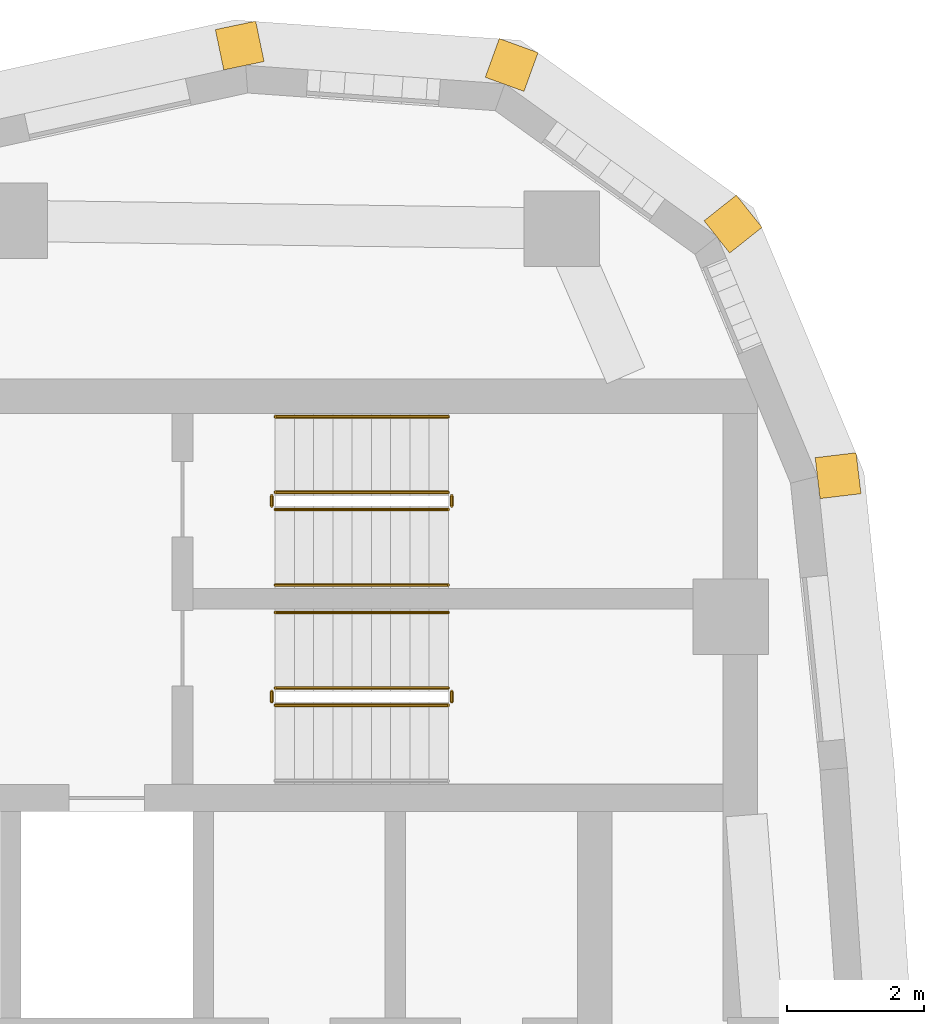
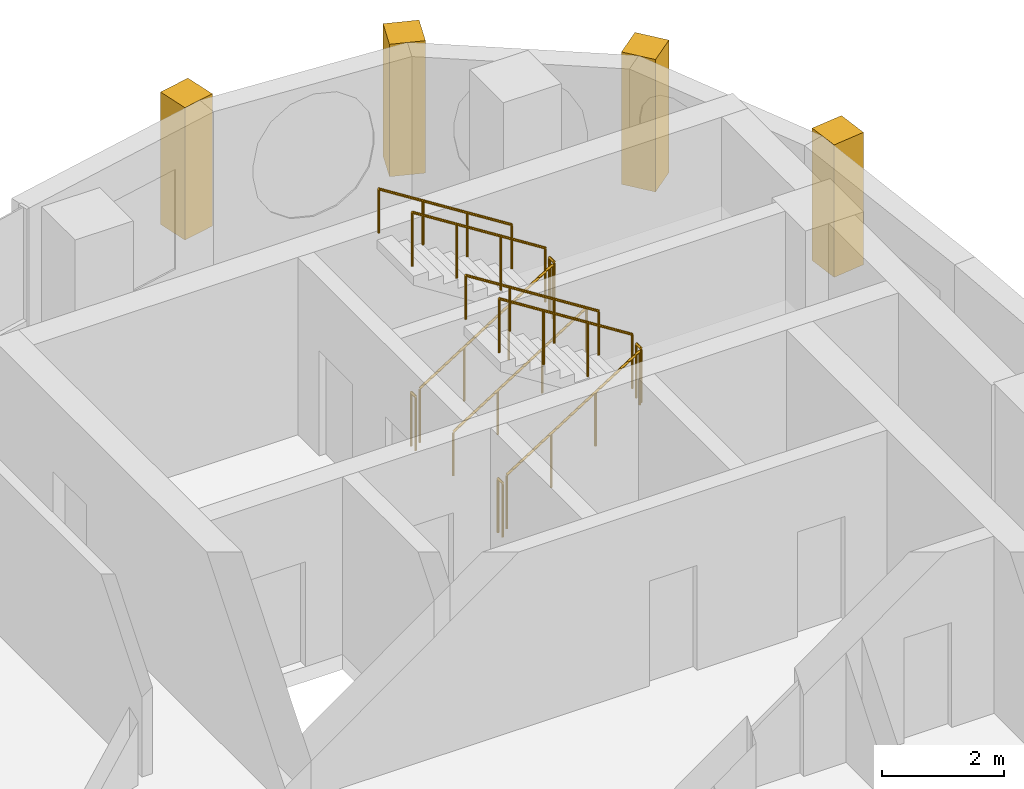
# One storey, part 14 of 14: 11 railings, 4 coverings.
"""IFC4 building model written with IfcOpenShell, lengths in metres."""

from ifc_helpers import new_model, si_unit, direction, frame, frame_2d, origin, origin_2d, place, context, subcontext, project, spatial, rectangle, circle, extrude, material, layer, layer_set, type_object, element, save


model = new_model("IFC4")

# Units and contexts
model_context = context("Model", 3, precision=1e-05, world=origin(), true_north=direction((0.0, 1.0)))
body_context = subcontext(model_context, "Body", "Model", "MODEL_VIEW")
ifc_project = project(units=[si_unit("LENGTHUNIT", "METRE"), si_unit("AREAUNIT", "SQUARE_METRE"), si_unit("VOLUMEUNIT", "CUBIC_METRE"), si_unit("PLANEANGLEUNIT", "RADIAN"), si_unit("MASSUNIT", "GRAM", prefix="KILO")], contexts=[model_context])

# Site, building, storey
site_placement = place(None, origin())
site = spatial("IfcSite", under=ifc_project, at=site_placement, CompositionType="ELEMENT")
building_placement = place(site_placement, origin())
building = spatial("IfcBuilding", under=site, at=building_placement, Name="Ostrand Prow Hotel Tower", CompositionType="ELEMENT")
storey_placement = place(building_placement, frame((0.0, 0.0, 275.0)))
storey = spatial("IfcBuildingStorey", under=building, at=storey_placement, Name="L69", CompositionType="ELEMENT", Elevation=275.0)

# Coverings
ifc_material_1 = material(Name="Limestone cladding", Category="masonry")
ifc_layer = layer(ifc_material_1, 0.60009765625)
ifc_layer_set = layer_set([ifc_layer], Name="Limestone cladding")
covering_type = type_object("IfcCoveringType", Name="Precast stone prow rib 600x600", PredefinedType="CLADDING", material=ifc_layer_set)
covering_1_placement = place(storey_placement, frame((65.0966796875, 14.806396484375, 0.60009765625), z_axis=(0.0, 0.0, 1.0), x_axis=(0.992867207971, 0.119225447515, 0.0)))
element("IfcCovering", 1, at=covering_1_placement, inside=storey, type_object=covering_type, Name="Stone corner rib 12a", PredefinedType="CLADDING", context=body_context, shape_type="SweptSolid", body=[
    extrude(rectangle(XDim=0.60009765625, YDim=0.60009765625, at=frame_2d((0.300048828125, 0.0))), origin(), (0.0, 0.0, 1.0), 2.64990234375),
])
for number, where, z_axis, x_axis, name in (
    (2, (63.630615234375, 18.318359375, 0.60009765625), (0.0, 0.0, 1.0), (0.782731736812, 0.622359243674, 0.0), "Stone corner rib 13a"),
    (3, (60.540283203125, 20.539794921875, 0.60009765625), (0.0, 0.0, 1.0), (0.340664419472, 0.940184956966, 0.0), "Stone corner rib 14a"),
):
    element("IfcCovering", number, at=place(storey_placement, frame(where, z_axis=z_axis, x_axis=x_axis)), inside=storey, type_object=covering_type, Name=name, PredefinedType="CLADDING", context=body_context, shape_type="SweptSolid", body=[
        extrude(rectangle(XDim=0.599853515625, YDim=0.60009765625, at=frame_2d((0.2998046875, 0.0))), origin(), (0.0, 0.0, 1.0), 2.64990234375),
    ])
covering_2_placement = place(storey_placement, frame((56.744384765625, 20.810546875, 0.60009765625), z_axis=(0.0, 0.0, 1.0), x_axis=(-0.203385687349, 0.979098698897, 0.0)))
element("IfcCovering", 4, at=covering_2_placement, inside=storey, type_object=covering_type, Name="Stone corner rib 14b", PredefinedType="CLADDING", context=body_context, shape_type="SweptSolid", body=[
    extrude(rectangle(XDim=0.60009765625, YDim=0.60009765625, at=frame_2d((0.300048828125, 0.0))), origin(), (0.0, 0.0, 1.0), 2.64990234375),
])

# Railings
ifc_material_2 = material(Name="Painted steel", Category="steel")
railing_type_1 = type_object("IfcRailingType", Name="Stair guard 1100", PredefinedType="GUARDRAIL", material=ifc_material_2)
railing_1_placement = place(storey_placement, frame((57.199951171875, 11.5, 0.177490234375)))
element("IfcRailing", 5, at=railing_1_placement, inside=storey, type_object=railing_type_1, Name="L69 ST1C stair guard 1", PredefinedType="GUARDRAIL", context=body_context, shape_type="SweptSolid", body=[
    extrude(circle(Radius=0.02392578125, at=origin_2d()), frame((0.0, 0.0, 1.076171875), z_axis=(0.84460694969, 0.0, 0.535386869969), x_axis=(0.0, 1.0, 0.0)), (0.0, 0.0, 1.0), 2.983642578125),
    extrude(circle(Radius=0.02099609375, at=origin_2d()), origin(), (0.0, 0.0, 1.0), 1.052001953125),
    extrude(circle(Radius=0.02099609375, at=origin_2d()), frame((0.840087890625, 0.0, 0.532470703125)), (0.0, 0.0, 1.0), 1.052001953125),
    extrude(circle(Radius=0.02099609375, at=origin_2d()), frame((1.679931640625, 0.0, 1.06494140625)), (0.0, 0.0, 1.0), 1.052001953125),
    extrude(circle(Radius=0.02099609375, at=origin_2d()), frame((2.52001953125, 0.0, 1.597412109375)), (0.0, 0.0, 1.0), 1.052001953125),
])
railing_2_placement = place(storey_placement, frame((59.77001953125, 11.550048828125, 1.77490234375)))
element("IfcRailing", 6, at=railing_2_placement, inside=storey, type_object=railing_type_1, Name="L69 ST1C stair guard 2", PredefinedType="GUARDRAIL", context=body_context, shape_type="SweptSolid", body=[
    extrude(circle(Radius=0.02392578125, at=origin_2d()), frame((0.0, 0.0, 1.076171875), z_axis=(0.0, 1.0, 0.0), x_axis=(-1.0, 0.0, 0.0)), (0.0, 0.0, 1.0), 0.14990234375),
    extrude(circle(Radius=0.02099609375, at=origin_2d()), origin(), (0.0, 0.0, 1.0), 1.052001953125),
    extrude(circle(Radius=0.02099609375, at=origin_2d()), frame((0.0, 0.14990234375, 0.0)), (0.0, 0.0, 1.0), 1.052001953125),
])
railing_3_placement = place(storey_placement, frame((59.719970703125, 11.75, 1.952392578125)))
element("IfcRailing", 7, at=railing_3_placement, inside=storey, type_object=railing_type_1, Name="L69 ST1C stair guard 3", PredefinedType="GUARDRAIL", context=body_context, shape_type="SweptSolid", body=[
    extrude(circle(Radius=0.02392578125, at=origin_2d()), frame((0.0, 0.0, 1.076171875), z_axis=(-0.84456994832, 0.0, 0.535445237532), x_axis=(0.0, -1.0, 0.0)), (0.0, 0.0, 1.0), 2.98388671875),
    extrude(circle(Radius=0.02099609375, at=origin_2d()), origin(), (0.0, 0.0, 1.0), 1.052001953125),
    extrude(circle(Radius=0.02099609375, at=origin_2d()), frame((-0.840087890625, 0.0, 0.532470703125)), (0.0, 0.0, 1.0), 1.052001953125),
    extrude(circle(Radius=0.02099609375, at=origin_2d()), frame((-1.679931640625, 0.0, 1.065185546875)), (0.0, 0.0, 1.0), 1.052001953125),
    extrude(circle(Radius=0.02099609375, at=origin_2d()), frame((-2.52001953125, 0.0, 1.59765625)), (0.0, 0.0, 1.0), 1.052001953125),
])
railing_4_placement = place(storey_placement, frame((57.14990234375, 11.550048828125, 0.0)))
element("IfcRailing", 8, at=railing_4_placement, inside=storey, type_object=railing_type_1, Name="L69 ST1C stair guard 4", PredefinedType="GUARDRAIL", context=body_context, shape_type="SweptSolid", body=[
    extrude(circle(Radius=0.02392578125, at=origin_2d()), frame((0.0, 0.0, 1.076171875), z_axis=(0.0, 1.0, 0.0), x_axis=(-1.0, 0.0, 0.0)), (0.0, 0.0, 1.0), 0.14990234375),
    extrude(circle(Radius=0.02099609375, at=origin_2d()), origin(), (0.0, 0.0, 1.0), 1.052001953125),
    extrude(circle(Radius=0.02099609375, at=origin_2d()), frame((0.0, 0.14990234375, 0.0)), (0.0, 0.0, 1.0), 1.052001953125),
])
railing_5_placement = place(storey_placement, frame((57.199951171875, 14.35009765625, 0.177490234375)))
element("IfcRailing", 9, at=railing_5_placement, inside=storey, type_object=railing_type_1, Name="L69 ST3C stair guard 1", PredefinedType="GUARDRAIL", context=body_context, shape_type="SweptSolid", body=[
    extrude(circle(Radius=0.02392578125, at=origin_2d()), frame((0.0, 0.0, 1.076171875), z_axis=(0.84460694969, 0.0, 0.535386869969), x_axis=(0.0, 1.0, 0.0)), (0.0, 0.0, 1.0), 2.983642578125),
    extrude(circle(Radius=0.02099609375, at=origin_2d()), origin(), (0.0, 0.0, 1.0), 1.052001953125),
    extrude(circle(Radius=0.02099609375, at=origin_2d()), frame((0.840087890625, 0.0, 0.532470703125)), (0.0, 0.0, 1.0), 1.052001953125),
    extrude(circle(Radius=0.02099609375, at=origin_2d()), frame((1.679931640625, 0.0, 1.06494140625)), (0.0, 0.0, 1.0), 1.052001953125),
    extrude(circle(Radius=0.02099609375, at=origin_2d()), frame((2.52001953125, 0.0, 1.597412109375)), (0.0, 0.0, 1.0), 1.052001953125),
])
railing_6_placement = place(storey_placement, frame((59.77001953125, 14.39990234375, 1.77490234375)))
element("IfcRailing", 10, at=railing_6_placement, inside=storey, type_object=railing_type_1, Name="L69 ST3C stair guard 2", PredefinedType="GUARDRAIL", context=body_context, shape_type="SweptSolid", body=[
    extrude(circle(Radius=0.02392578125, at=origin_2d()), frame((0.0, 0.0, 1.076171875), z_axis=(0.0, 1.0, 0.0), x_axis=(-1.0, 0.0, 0.0)), (0.0, 0.0, 1.0), 0.150146484375),
    extrude(circle(Radius=0.02099609375, at=origin_2d()), origin(), (0.0, 0.0, 1.0), 1.052001953125),
    extrude(circle(Radius=0.02099609375, at=origin_2d()), frame((0.0, 0.150146484375, 0.0)), (0.0, 0.0, 1.0), 1.052001953125),
])
railing_7_placement = place(storey_placement, frame((59.719970703125, 14.60009765625, 1.952392578125)))
element("IfcRailing", 11, at=railing_7_placement, inside=storey, type_object=railing_type_1, Name="L69 ST3C stair guard 3", PredefinedType="GUARDRAIL", context=body_context, shape_type="SweptSolid", body=[
    extrude(circle(Radius=0.02392578125, at=origin_2d()), frame((0.0, 0.0, 1.076171875), z_axis=(-0.84456994832, 0.0, 0.535445237532), x_axis=(0.0, -1.0, 0.0)), (0.0, 0.0, 1.0), 2.98388671875),
    extrude(circle(Radius=0.02099609375, at=origin_2d()), origin(), (0.0, 0.0, 1.0), 1.052001953125),
    extrude(circle(Radius=0.02099609375, at=origin_2d()), frame((-0.840087890625, 0.0, 0.532470703125)), (0.0, 0.0, 1.0), 1.052001953125),
    extrude(circle(Radius=0.02099609375, at=origin_2d()), frame((-1.679931640625, 0.0, 1.065185546875)), (0.0, 0.0, 1.0), 1.052001953125),
    extrude(circle(Radius=0.02099609375, at=origin_2d()), frame((-2.52001953125, 0.0, 1.59765625)), (0.0, 0.0, 1.0), 1.052001953125),
])
railing_8_placement = place(storey_placement, frame((57.14990234375, 14.39990234375, 0.0)))
element("IfcRailing", 12, at=railing_8_placement, inside=storey, type_object=railing_type_1, Name="L69 ST3C stair guard 4", PredefinedType="GUARDRAIL", context=body_context, shape_type="SweptSolid", body=[
    extrude(circle(Radius=0.02392578125, at=origin_2d()), frame((0.0, 0.0, 1.076171875), z_axis=(0.0, 1.0, 0.0), x_axis=(-1.0, 0.0, 0.0)), (0.0, 0.0, 1.0), 0.150146484375),
    extrude(circle(Radius=0.02099609375, at=origin_2d()), origin(), (0.0, 0.0, 1.0), 1.052001953125),
    extrude(circle(Radius=0.02099609375, at=origin_2d()), frame((0.0, 0.150146484375, 0.0)), (0.0, 0.0, 1.0), 1.052001953125),
])
ifc_material_3 = material(Name="Stainless steel", Category="steel")
railing_type_2 = type_object("IfcRailingType", Name="Stair handrail 900", PredefinedType="HANDRAIL", material=ifc_material_3)
railing_9_placement = place(storey_placement, frame((59.719970703125, 12.85009765625, 1.952392578125)))
element("IfcRailing", 13, at=railing_9_placement, inside=storey, type_object=railing_type_2, Name="L69 ST1C stair handrail 2", PredefinedType="HANDRAIL", context=body_context, shape_type="SweptSolid", body=[
    extrude(circle(Radius=0.02392578125, at=origin_2d()), frame((0.0, 0.0, 0.8759765625), z_axis=(-0.84456994832, 0.0, 0.535445237532), x_axis=(0.0, -1.0, 0.0)), (0.0, 0.0, 1.0), 2.98388671875),
    extrude(circle(Radius=0.02099609375, at=origin_2d()), origin(), (0.0, 0.0, 1.0), 0.851806640625),
    extrude(circle(Radius=0.02099609375, at=origin_2d()), frame((-0.840087890625, 0.0, 0.532470703125)), (0.0, 0.0, 1.0), 0.851806640625),
    extrude(circle(Radius=0.02099609375, at=origin_2d()), frame((-1.679931640625, 0.0, 1.065185546875)), (0.0, 0.0, 1.0), 0.851806640625),
    extrude(circle(Radius=0.02099609375, at=origin_2d()), frame((-2.52001953125, 0.0, 1.59765625)), (0.0, 0.0, 1.0), 0.851806640625),
])
railing_10_placement = place(storey_placement, frame((57.199951171875, 13.25, 0.177490234375)))
element("IfcRailing", 14, at=railing_10_placement, inside=storey, type_object=railing_type_2, Name="L69 ST3C stair handrail 1", PredefinedType="HANDRAIL", context=body_context, shape_type="SweptSolid", body=[
    extrude(circle(Radius=0.02392578125, at=origin_2d()), frame((0.0, 0.0, 0.8759765625), z_axis=(0.84460694969, 0.0, 0.535386869969), x_axis=(0.0, 1.0, 0.0)), (0.0, 0.0, 1.0), 2.983642578125),
    extrude(circle(Radius=0.02099609375, at=origin_2d()), origin(), (0.0, 0.0, 1.0), 0.851806640625),
    extrude(circle(Radius=0.02099609375, at=origin_2d()), frame((0.840087890625, 0.0, 0.532470703125)), (0.0, 0.0, 1.0), 0.851806640625),
    extrude(circle(Radius=0.02099609375, at=origin_2d()), frame((1.679931640625, 0.0, 1.06494140625)), (0.0, 0.0, 1.0), 0.851806640625),
    extrude(circle(Radius=0.02099609375, at=origin_2d()), frame((2.52001953125, 0.0, 1.597412109375)), (0.0, 0.0, 1.0), 0.851806640625),
])
railing_11_placement = place(storey_placement, frame((59.719970703125, 15.699951171875, 1.952392578125)))
element("IfcRailing", 15, at=railing_11_placement, inside=storey, type_object=railing_type_2, Name="L69 ST3C stair handrail 2", PredefinedType="HANDRAIL", context=body_context, shape_type="SweptSolid", body=[
    extrude(circle(Radius=0.02392578125, at=origin_2d()), frame((0.0, 0.0, 0.8759765625), z_axis=(-0.84456994832, 0.0, 0.535445237532), x_axis=(0.0, -1.0, 0.0)), (0.0, 0.0, 1.0), 2.98388671875),
    extrude(circle(Radius=0.02099609375, at=origin_2d()), origin(), (0.0, 0.0, 1.0), 0.851806640625),
    extrude(circle(Radius=0.02099609375, at=origin_2d()), frame((-0.840087890625, 0.0, 0.532470703125)), (0.0, 0.0, 1.0), 0.851806640625),
    extrude(circle(Radius=0.02099609375, at=origin_2d()), frame((-1.679931640625, 0.0, 1.065185546875)), (0.0, 0.0, 1.0), 0.851806640625),
    extrude(circle(Radius=0.02099609375, at=origin_2d()), frame((-2.52001953125, 0.0, 1.59765625)), (0.0, 0.0, 1.0), 0.851806640625),
])

save(model, "model.ifc")
